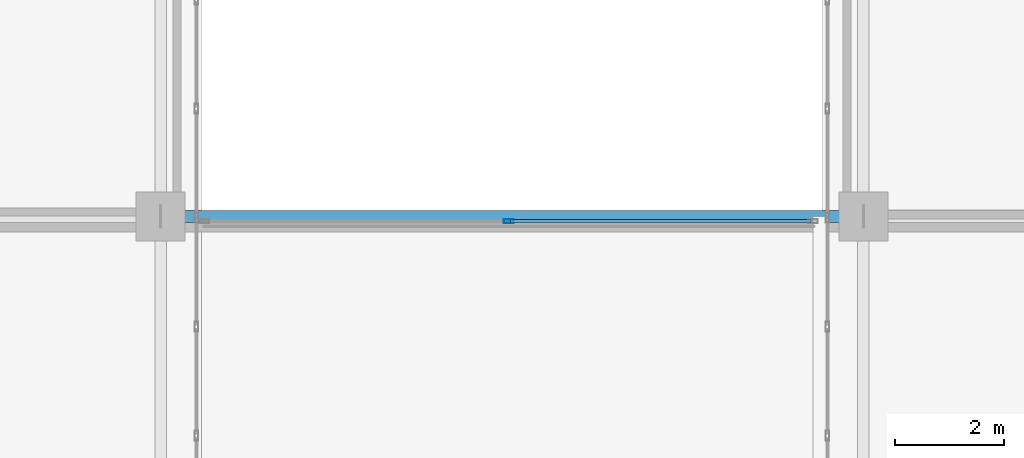
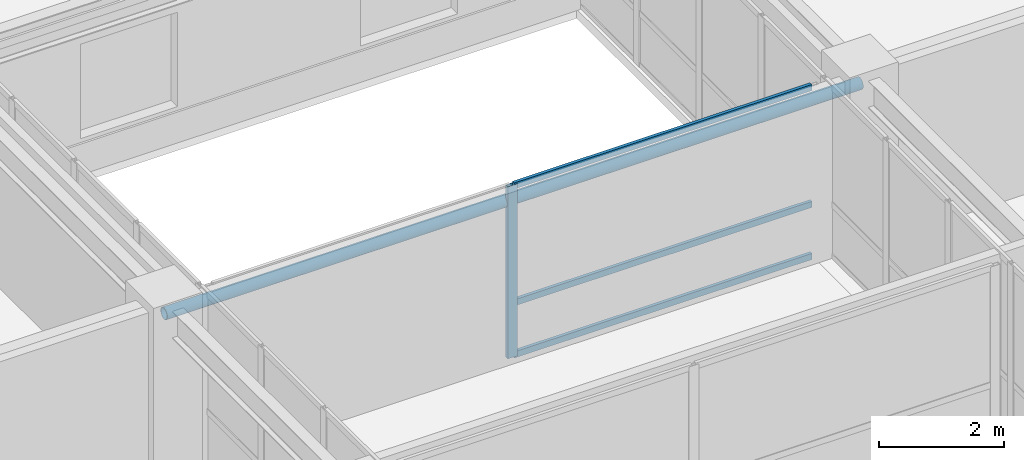
# One storey, part 4 of 31: 5 members, 1 element without a shape of its own.
"""IFC4 building model written with IfcOpenShell, lengths in metres."""

from ifc_helpers import new_model, si_unit, direction, frame, origin, origin_2d, place, context, subcontext, project, spatial, hollow_rectangle, hollow_circle, extrude, source, transform, mapped, material, layer, layer_set, material_profile, profile_set, type_object, type_shapes, element, aggregate, save


model = new_model("IFC4")

# Units and contexts
model_context = context("Model", 3, precision=1e-05, world=origin(), true_north=direction((0.0, 1.0)))
body_context = subcontext(model_context, "Body", "Model", "MODEL_VIEW")
ifc_project = project(units=[si_unit("LENGTHUNIT", "METRE"), si_unit("AREAUNIT", "SQUARE_METRE"), si_unit("VOLUMEUNIT", "CUBIC_METRE"), si_unit("PLANEANGLEUNIT", "RADIAN"), si_unit("MASSUNIT", "GRAM", prefix="KILO")], contexts=[model_context])

# Site, building, storey
site_placement = place(None, origin())
site = spatial("IfcSite", under=ifc_project, at=site_placement, CompositionType="ELEMENT")
building_placement = place(site_placement, origin())
building = spatial("IfcBuilding", under=site, at=building_placement, Name="Tolvann Quenvar Hotel", CompositionType="ELEMENT")
storey_placement = place(building_placement, frame((0.0, 0.0, 125.75)))
storey = spatial("IfcBuildingStorey", under=building, at=storey_placement, Name="L32", CompositionType="ELEMENT", Elevation=125.75)

# Member
ifc_material_1 = material(Name="Steel Grade 450 (C450L0)", Category="steel")
ifc_material_profile_1 = material_profile(ifc_material_1, hollow_circle(Radius=0.109619140625, WallThickness=0.00830078125, at=origin_2d()), Name="219.1x8.2CHS")
ifc_profile_set_1 = profile_set([ifc_material_profile_1], Name="Steel Grade 450 (C450L0)")
member_type_1 = type_object("IfcMemberType", Name="MEM_BRG_219CHS", PredefinedType="BRACE", material=ifc_profile_set_1)
shared_shape_1 = source(origin(), body_context, "Body", "SweptSolid", [
    extrude(hollow_circle(Radius=0.109619140625, WallThickness=0.00830078125, at=origin_2d()), origin(), (0.0, 0.0, 1.0), 12.89990234375),
])
type_shapes(member_type_1, [shared_shape_1])
member_1_placement = place(storey_placement, frame((22.050048828125, 8.199951171875, 3.02001953125), z_axis=(1.0, 0.0, 0.0), x_axis=(0.0, 1.0, 0.0)))
element("IfcMember", 1, at=member_1_placement, inside=storey, type_object=member_type_1, Name="Skybridge Tie Strut (L32)", PredefinedType="BRACE", context=body_context, shape_type="MappedRepresentation", body=[
    mapped(shared_shape_1, transform((0.0, 0.0, 0.0), x_axis=(1.0, 0.0, 0.0), y_axis=(0.0, 1.0, 0.0), z_axis=(0.0, 0.0, 1.0), scale=1.0)),
])

# Curtain wall, members
ifc_material_2 = material(Name="Thermally broken anodised architectural aluminium 6063-T6 and laminated low-E glass", Category="aluminium")
ifc_layer = layer(ifc_material_2, 0.179931640625)
ifc_layer_set = layer_set([ifc_layer], Name="Thermally broken anodised architectural aluminium 6063-T6 and laminated low-E glass")
curtain_wall_type = type_object("IfcCurtainWallType", Name="CW_SYS_SLOT_03", PredefinedType="USERDEFINED", material=ifc_layer_set)
curtain_wall_placement = place(storey_placement, origin())
curtain_wall = element("IfcCurtainWall", 2, at=curtain_wall_placement, inside=storey, type_object=curtain_wall_type, Name="Curtain Wall CW-SLOT-03 (CWR-BRG-L32-N)", ObjectType="UNITISED CURTAIN WALL", PredefinedType="USERDEFINED")
ifc_material_3 = material(Name="Anodised architectural aluminium 6063-T6 framing", Category="aluminium")
ifc_material_profile_2 = material_profile(ifc_material_3, hollow_rectangle(XDim=0.070068359375, YDim=0.179931640625, WallThickness=0.00390625, at=origin_2d()), Name="180x70x4RHS")
ifc_profile_set_2 = profile_set([ifc_material_profile_2], Name="Anodised architectural aluminium 6063-T6 framing")
member_type_2 = type_object("IfcMemberType", Name="CW_MULL_180x70", PredefinedType="MULLION", material=ifc_profile_set_2)
shared_shape_2 = source(origin(), body_context, "Body", "SweptSolid", [
    extrude(hollow_rectangle(XDim=0.070068359375, YDim=0.179931640625, WallThickness=0.00390625, at=origin_2d()), origin(), (0.0, 0.0, 1.0), 3.3701171875),
])
type_shapes(member_type_2, [shared_shape_2])
member_2_placement = place(storey_placement, frame((28.43994140625, 8.110107421875, 0.0), z_axis=(0.0, 0.0, 1.0), x_axis=(0.0, -1.0, 0.0)))
member_2 = element("IfcMember", 3, at=member_2_placement, type_object=member_type_2, Name="CW-SLOT-03 mullion 2", PredefinedType="MULLION", context=body_context, shape_type="MappedRepresentation", body=[
    mapped(shared_shape_2, transform((0.0, 0.0, 0.0), x_axis=(1.0, 0.0, 0.0), y_axis=(0.0, 1.0, 0.0), z_axis=(0.0, 0.0, 1.0), scale=1.0)),
])
ifc_material_profile_3 = material_profile(ifc_material_3, hollow_rectangle(XDim=0.06005859375, YDim=0.1201171875, WallThickness=0.00341796875, at=origin_2d()), Name="120x60x3.5RHS")
ifc_profile_set_3 = profile_set([ifc_material_profile_3], Name="Anodised architectural aluminium 6063-T6 framing")
member_type_3 = type_object("IfcMemberType", Name="CW_TRAN_120x60", PredefinedType="USERDEFINED", material=ifc_profile_set_3)
shared_shape_3 = source(origin(), body_context, "Body", "SweptSolid", [
    extrude(hollow_rectangle(XDim=0.06005859375, YDim=0.1201171875, WallThickness=0.00341796875, at=origin_2d()), origin(), (0.0, 0.0, 1.0), 5.514892578125),
])
type_shapes(member_type_3, [shared_shape_3])
member_3_placement = place(storey_placement, frame((33.989990234375, 8.110107421875, 0.030029296875), z_axis=(-1.0, 0.0, 0.0), x_axis=(0.0, -1.0, 0.0)))
member_3 = element("IfcMember", 4, at=member_3_placement, type_object=member_type_3, Name="CW-SLOT-03 transom 1.1", ObjectType="TRANSOM", PredefinedType="USERDEFINED", context=body_context, shape_type="MappedRepresentation", body=[
    mapped(shared_shape_3, transform((0.0, 0.0, 0.0), x_axis=(1.0, 0.0, 0.0), y_axis=(0.0, 1.0, 0.0), z_axis=(0.0, 0.0, 1.0), scale=1.0)),
])
member_4_placement = place(storey_placement, frame((33.989990234375, 8.110107421875, 1.050048828125), z_axis=(-1.0, 0.0, 0.0), x_axis=(0.0, -1.0, 0.0)))
member_4 = element("IfcMember", 5, at=member_4_placement, type_object=member_type_3, Name="CW-SLOT-03 transom 1.2", ObjectType="TRANSOM", PredefinedType="USERDEFINED", context=body_context, shape_type="MappedRepresentation", body=[
    mapped(shared_shape_3, transform((0.0, 0.0, 0.0), x_axis=(1.0, 0.0, 0.0), y_axis=(0.0, 1.0, 0.0), z_axis=(0.0, 0.0, 1.0), scale=1.0)),
])
member_5_placement = place(storey_placement, frame((33.989990234375, 8.110107421875, 3.340087890625), z_axis=(-1.0, 0.0, 0.0), x_axis=(0.0, -1.0, 0.0)))
member_5 = element("IfcMember", 6, at=member_5_placement, type_object=member_type_3, Name="CW-SLOT-03 transom 1.3", ObjectType="TRANSOM", PredefinedType="USERDEFINED", context=body_context, shape_type="MappedRepresentation", body=[
    mapped(shared_shape_3, transform((0.0, 0.0, 0.0), x_axis=(1.0, 0.0, 0.0), y_axis=(0.0, 1.0, 0.0), z_axis=(0.0, 0.0, 1.0), scale=1.0)),
])
aggregate(curtain_wall, [member_2, member_3, member_4, member_5])

save(model, "model.ifc")
